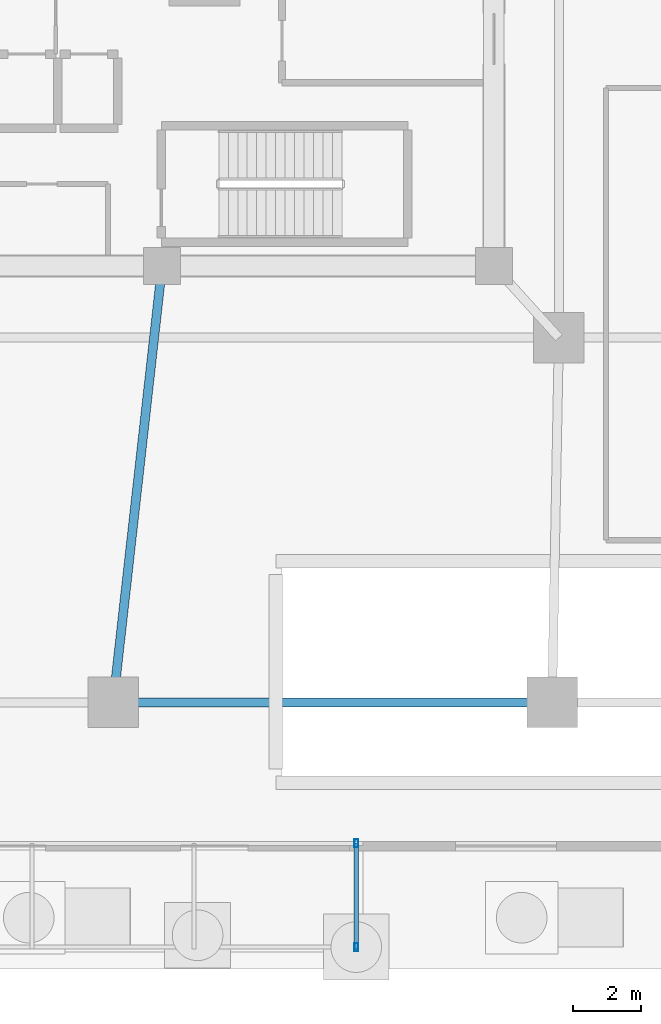
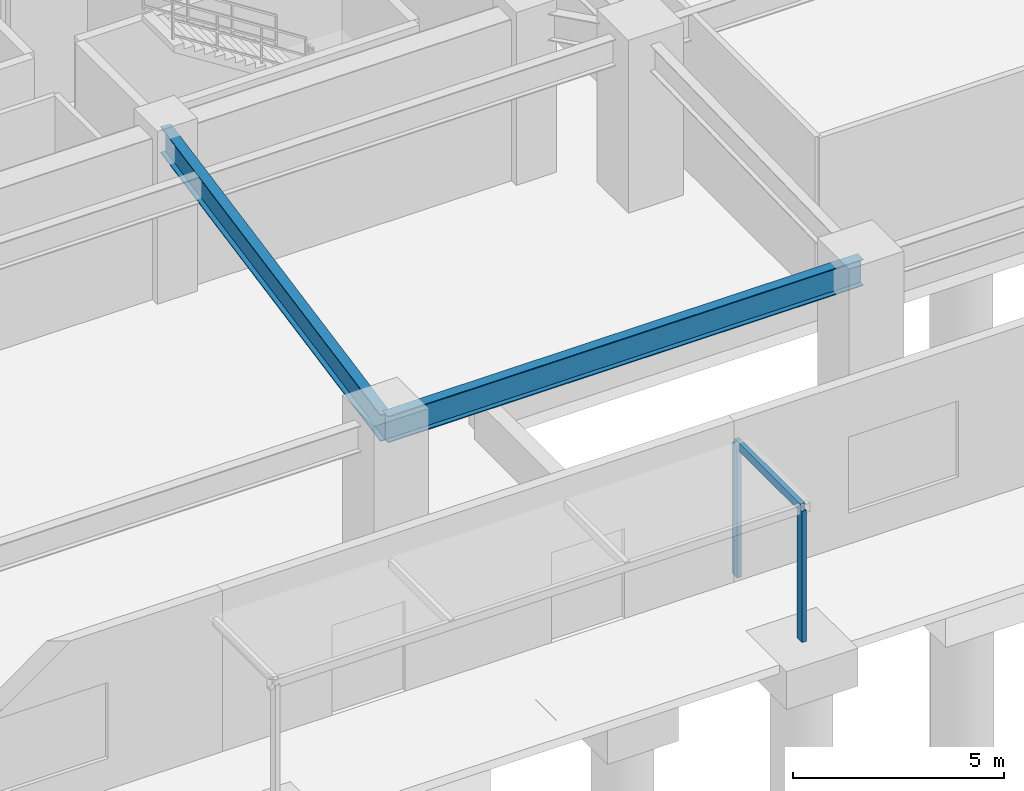
# One storey, part 6 of 18: 3 members, 2 beams.
"""IFC4 building model written with IfcOpenShell, lengths in metres."""

import ifcopenshell
import ifcopenshell.guid

model = None  # the IFC model being written
_history = None  # IfcOwnerHistory: only IFC2X3 demands one
_inside = {}  # id of a spatial element -> (the spatial element, [elements in it])
_under = {}  # id of a project, library or spatial element -> (it, [spatial elements below it])
_declared = {}  # id of a project -> (the project, [libraries it declares])
_typed = {}  # id of a type object -> (the type object, [elements of that type])
_made_of = {}  # id of a material, layer set ... -> (it, [elements and type objects made of it])


def new_model(schema):
    """Start an empty IFC model of exactly this schema.

    Asked for "IFC4X3", IfcOpenShell would pick the latest addendum, in which some entities
    have other attributes; the version numbers below select the first issue.
    IFC2X3 requires an IfcOwnerHistory on every rooted entity: one is made here for all.
    """
    global model, _history
    if schema == "IFC4X3":
        model = ifcopenshell.file(schema_version=(4, 3, 0, 0))
    else:
        model = ifcopenshell.file(schema=schema)
    _inside.clear()
    _under.clear()
    _declared.clear()
    _typed.clear()
    _made_of.clear()
    _history = None
    if model.schema == "IFC2X3":
        org = make("IfcOrganization", Name="unknown")
        user = make(
            "IfcPersonAndOrganization",
            ThePerson=make("IfcPerson", FamilyName="unknown"),
            TheOrganization=org,
        )
        app = make(
            "IfcApplication",
            ApplicationDeveloper=org,
            Version="unknown",
            ApplicationFullName="unknown",
            ApplicationIdentifier="unknown",
        )
        _history = make(
            "IfcOwnerHistory",
            OwningUser=user,
            OwningApplication=app,
            ChangeAction="ADDED",
            CreationDate=0,
        )
    return model


def make(cls, **values):
    """One entity of the class cls with the attributes given. An attribute that is None is left unset."""
    return model.create_entity(
        cls, **{name: value for name, value in values.items() if value is not None}
    )


def rooted(cls, **values):
    """An entity with a GlobalId (a new one), such as an element, a storey or a relation."""
    return make(cls, GlobalId=ifcopenshell.guid.new(), OwnerHistory=_history, **values)


def si_unit(unit_type, name, prefix=None):
    """IfcSIUnit, for example si_unit("LENGTHUNIT", "METRE", prefix="MILLI")."""
    return make("IfcSIUnit", UnitType=unit_type, Prefix=prefix, Name=name)


def assignment(units):
    """IfcUnitAssignment: the units of a project."""
    return None if units is None else make("IfcUnitAssignment", Units=units)


def point(xyz):
    """IfcCartesianPoint."""
    return None if xyz is None else make("IfcCartesianPoint", Coordinates=xyz)


def direction(xyz):
    """IfcDirection."""
    return None if xyz is None else make("IfcDirection", DirectionRatios=xyz)


def frame(location, z_axis=None, x_axis=None):
    """IfcAxis2Placement3D, a coordinate frame: its origin and axes. An axis left out is left unset."""
    return make(
        "IfcAxis2Placement3D",
        Location=point(location),
        Axis=direction(z_axis),
        RefDirection=direction(x_axis),
    )


def frame_2d(location, x_axis=None):
    """IfcAxis2Placement2D, a coordinate frame in the plane: its origin and x axis."""
    return make(
        "IfcAxis2Placement2D", Location=point(location), RefDirection=direction(x_axis)
    )


def origin():
    """The frame at (0, 0, 0) with its axes left unset."""
    return frame((0.0, 0.0, 0.0))


def origin_2d():
    """The frame at (0, 0) in the plane with its x axis left unset."""
    return frame_2d((0.0, 0.0))


def place(relative_to, where):
    """IfcLocalPlacement: puts the frame where relative to a parent placement (None: the world)."""
    return make(
        "IfcLocalPlacement", PlacementRelTo=relative_to, RelativePlacement=where
    )


def context(
    kind, dimensions, precision=None, world=None, true_north=None, identifier=None
):
    """IfcGeometricRepresentationContext, for example the 3D "Model" context."""
    return make(
        "IfcGeometricRepresentationContext",
        ContextIdentifier=identifier,
        ContextType=kind,
        CoordinateSpaceDimension=dimensions,
        Precision=precision,
        WorldCoordinateSystem=world,
        TrueNorth=true_north,
    )


def subcontext(parent, identifier, kind, view, scale=None):
    """IfcGeometricRepresentationSubContext, for example "Body" below "Model"."""
    return make(
        "IfcGeometricRepresentationSubContext",
        ContextIdentifier=identifier,
        ContextType=kind,
        ParentContext=parent,
        TargetScale=scale,
        TargetView=view,
    )


def project(units=None, contexts=None):
    """IfcProject with its units and contexts."""
    return rooted(
        "IfcProject",
        Name="project",
        RepresentationContexts=contexts,
        UnitsInContext=assignment(units),
    )


def spatial(cls, under=None, at=None, **own):
    """A site, building, storey or space (cls), placed at a placement, below another one or the project."""
    s = rooted(cls, ObjectPlacement=at, **own)
    if under is not None:
        _under.setdefault(under.id(), (under, []))[1].append(s)
    return s


def profile(cls, at=None, kind="AREA", **sizes):
    """A parametric profile (cls). Its sizes go by their IFC names, for example OverallWidth=200.0."""
    return make(cls, ProfileType=kind, Position=at, **sizes)


def hollow_rectangle(**sizes):
    """IfcRectangleHollowProfileDef."""
    return profile("IfcRectangleHollowProfileDef", **sizes)


def i_section(**sizes):
    """IfcIShapeProfileDef."""
    return profile("IfcIShapeProfileDef", **sizes)


def extrude(swept, where, along, depth):
    """IfcExtrudedAreaSolid: the profile swept, set in the frame where, extruded along a direction by depth."""
    return make(
        "IfcExtrudedAreaSolid",
        SweptArea=swept,
        Position=where,
        ExtrudedDirection=direction(along),
        Depth=depth,
    )


def shape(context_of_items, identifier, shape_type, items):
    """IfcShapeRepresentation: the items that make up one representation, for example the "Body"."""
    return make(
        "IfcShapeRepresentation",
        ContextOfItems=context_of_items,
        RepresentationIdentifier=identifier,
        RepresentationType=shape_type,
        Items=items,
    )


def material(Name=None, Category=None):
    """IfcMaterial."""
    return make("IfcMaterial", Name=Name, Category=Category)


def material_profile(
    of_material, cross_section, Name=None, Category=None, Priority=None
):
    """IfcMaterialProfile: a cross section and its material."""
    return make(
        "IfcMaterialProfile",
        Name=Name,
        Material=of_material,
        Profile=cross_section,
        Priority=Priority,
        Category=Category,
    )


def profile_set(profiles, Name=None, composite=None):
    """IfcMaterialProfileSet."""
    return make(
        "IfcMaterialProfileSet",
        Name=Name,
        MaterialProfiles=profiles,
        CompositeProfile=composite,
    )


def made_of(thing, what):
    """Note that an element or type object is made of a material, layer set ...; save() writes the relation."""
    if what is not None:
        _made_of.setdefault(what.id(), (what, []))[1].append(thing)
    return thing


def type_object(cls, material=None, **own):
    """A type object (cls), such as IfcWallType, which elements share."""
    return made_of(rooted(cls, **own), material)


def element(
    cls,
    number,
    at=None,
    inside=None,
    cuts=None,
    type_object=None,
    material=None,
    context=None,
    identifier="Body",
    shape_type=None,
    held_by="IfcProductDefinitionShape",
    body=None,
    shapes=None,
    **own,
):
    """One element of the class cls, such as IfcWall. Its Tag is "e" and its number.

    at: its placement. inside: the storey or other place that contains it. cuts: it is an
    opening in that element (IfcRelVoidsElement). A single representation is given by context,
    identifier, shape_type and body (its items); several are given by shapes. held_by: the class
    of the entity that holds the representations. save() writes the other relations.
    """
    e = rooted(cls, Tag="e%d" % number, ObjectPlacement=at, **own)
    if body is not None:
        shapes = [shape(context, identifier, shape_type, body)]
    if shapes is not None:
        e.Representation = make(held_by, Representations=shapes)
    if inside is not None:
        _inside.setdefault(inside.id(), (inside, []))[1].append(e)
    if cuts is not None:
        rooted(
            "IfcRelVoidsElement", RelatingBuildingElement=cuts, RelatedOpeningElement=e
        )
    if type_object is not None:
        _typed.setdefault(type_object.id(), (type_object, []))[1].append(e)
    return made_of(e, material)


def aggregate(whole, parts):
    """IfcRelAggregates: a whole, such as a stair, and the parts it consists of."""
    return rooted("IfcRelAggregates", RelatingObject=whole, RelatedObjects=parts)


def save(model, path):
    """Write the relations noted so far, then the file.

    IfcRelAggregates (storeys below a building ...), IfcRelContainedInSpatialStructure (elements
    in a storey), IfcRelDefinesByType, IfcRelAssociatesMaterial and IfcRelDeclares: one each for
    every whole, place, type object, material and project.
    """
    for whole, parts in _under.values():
        aggregate(whole, parts)
    for where, things in _inside.values():
        rooted(
            "IfcRelContainedInSpatialStructure",
            RelatedElements=things,
            RelatingStructure=where,
        )
    for kind, things in _typed.values():
        rooted("IfcRelDefinesByType", RelatedObjects=things, RelatingType=kind)
    for what, things in _made_of.values():
        rooted("IfcRelAssociatesMaterial", RelatedObjects=things, RelatingMaterial=what)
    for by, libraries in _declared.values():
        rooted("IfcRelDeclares", RelatingContext=by, RelatedDefinitions=libraries)
    model.write(path)


model = new_model("IFC4")

# Units and contexts
model_context = context("Model", 3, precision=1e-05, world=origin(), true_north=direction((0.0, 1.0)))
body_context = subcontext(model_context, "Body", "Model", "MODEL_VIEW")
ifc_project = project(units=[si_unit("LENGTHUNIT", "METRE"), si_unit("AREAUNIT", "SQUARE_METRE"), si_unit("VOLUMEUNIT", "CUBIC_METRE"), si_unit("PLANEANGLEUNIT", "RADIAN"), si_unit("MASSUNIT", "GRAM", prefix="KILO")], contexts=[model_context])

# Site, building, storey
site_placement = place(None, origin())
site = spatial("IfcSite", under=ifc_project, at=site_placement, CompositionType="ELEMENT")
building_placement = place(site_placement, origin())
building = spatial("IfcBuilding", under=site, at=building_placement, Name="Zulverin Broadcast Headquarters", CompositionType="ELEMENT")
storey_placement = place(building_placement, origin())
storey = spatial("IfcBuildingStorey", under=building, at=storey_placement, Name="L00", CompositionType="ELEMENT", Elevation=0.0)

# Beams
ifc_material_1 = material(Name="Structural steel S355JR", Category="steel")
ifc_material_profile_1 = material_profile(ifc_material_1, i_section(OverallWidth=0.26806640625, OverallDepth=0.769775390625, WebThickness=0.015625, FlangeThickness=0.025390625, at=origin_2d()), Name="Structural steel S355JR", Category="steel")
ifc_profile_set_1 = profile_set([ifc_material_profile_1], Name="Structural steel S355JR")
beam_type = type_object("IfcBeamType", Name="BM-UB-762", PredefinedType="BEAM", material=ifc_profile_set_1)
beam_1_placement = place(storey_placement, frame((37.0, 4.39990234375, 4.275146484375), z_axis=(1.0, 0.0, 0.0), x_axis=(0.0, 1.0, 0.0)))
element("IfcBeam", 1, at=beam_1_placement, inside=storey, type_object=beam_type, Name="L00 Podium Primary Girder P03-P04", PredefinedType="BEAM", context=body_context, shape_type="SweptSolid", body=[
    extrude(i_section(OverallWidth=0.26806640625, OverallDepth=0.769775390625, WebThickness=0.015625, FlangeThickness=0.025390625, at=origin_2d()), origin(), (0.0, 0.0, 1.0), 13.0),
])
beam_2_placement = place(storey_placement, frame((37.0, 4.39990234375, 4.275146484375), z_axis=(0.111482194079, 0.993766431514, 0.0), x_axis=(-0.993766431514, 0.111482194079, 0.0)))
element("IfcBeam", 2, at=beam_2_placement, inside=storey, type_object=beam_type, Name="L00 Podium Primary Girder P03-K02", PredefinedType="BEAM", context=body_context, shape_type="SweptSolid", body=[
    extrude(i_section(OverallWidth=0.26806640625, OverallDepth=0.769775390625, WebThickness=0.015625, FlangeThickness=0.025390625, at=origin_2d()), origin(), (0.0, 0.0, 1.0), 13.006103515625),
])

# Members
ifc_material_2 = material(Name="Anodized pale-metal steel canopy rafter S355JR", Category="steel")
ifc_material_profile_2 = material_profile(ifc_material_2, hollow_rectangle(XDim=0.1201171875, YDim=0.239990234375, WallThickness=0.008056640625, at=origin_2d()), Name="Anodized pale-metal steel canopy rafter S355JR", Category="steel")
ifc_profile_set_2 = profile_set([ifc_material_profile_2], Name="Anodized pale-metal steel canopy rafter S355JR")
member_type = type_object("IfcMemberType", Name="MBR-CANOPY-RFT", PredefinedType="RAFTER", material=ifc_profile_set_2)
for number, where, z_axis, x_axis, name in (
    (3, (44.199951171875, -2.85009765625, 0.0), (0.0, 0.0, 1.0), (1.0, 0.0, 0.0), "L00 South Entrance Canopy Support Post 2"),
    (4, (44.199951171875, 0.219970703125, 0.0), (0.0, 0.0, 1.0), (1.0, 0.0, 0.0), "L00 South Entrance Canopy Rear Ledger Post 2"),
):
    element("IfcMember", number, at=place(storey_placement, frame(where, z_axis=z_axis, x_axis=x_axis)), inside=storey, type_object=member_type, Name=name, PredefinedType="RAFTER", context=body_context, shape_type="SweptSolid", body=[
        extrude(hollow_rectangle(XDim=0.1201171875, YDim=0.239990234375, WallThickness=0.008056640625, at=origin_2d()), origin(), (0.0, 0.0, 1.0), 3.800048828125),
    ])
member_placement = place(storey_placement, frame((44.199951171875, 0.219970703125, 3.85009765625), z_axis=(0.0, -1.0, 0.0), x_axis=(1.0, 0.0, 0.0)))
element("IfcMember", 5, at=member_placement, inside=storey, type_object=member_type, Name="L00 South Entrance Canopy Steel Rafter 4", PredefinedType="RAFTER", context=body_context, shape_type="SweptSolid", body=[
    extrude(hollow_rectangle(XDim=0.1201171875, YDim=0.239990234375, WallThickness=0.008056640625, at=origin_2d()), origin(), (0.0, 0.0, 1.0), 3.119873046875),
])

save(model, "model.ifc")
